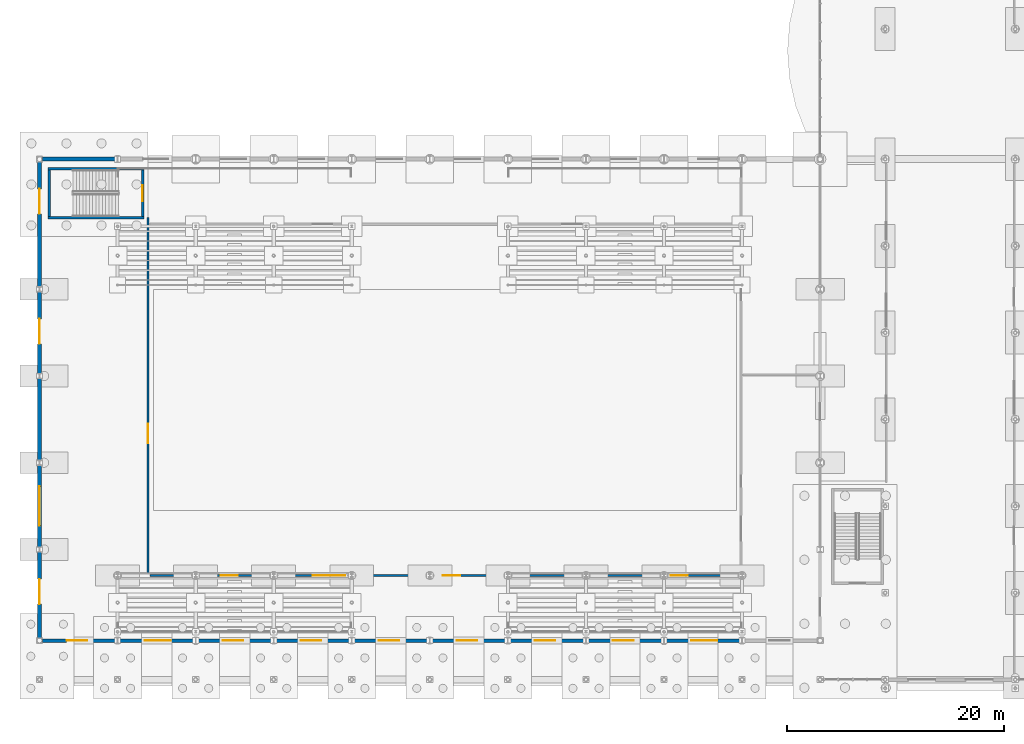
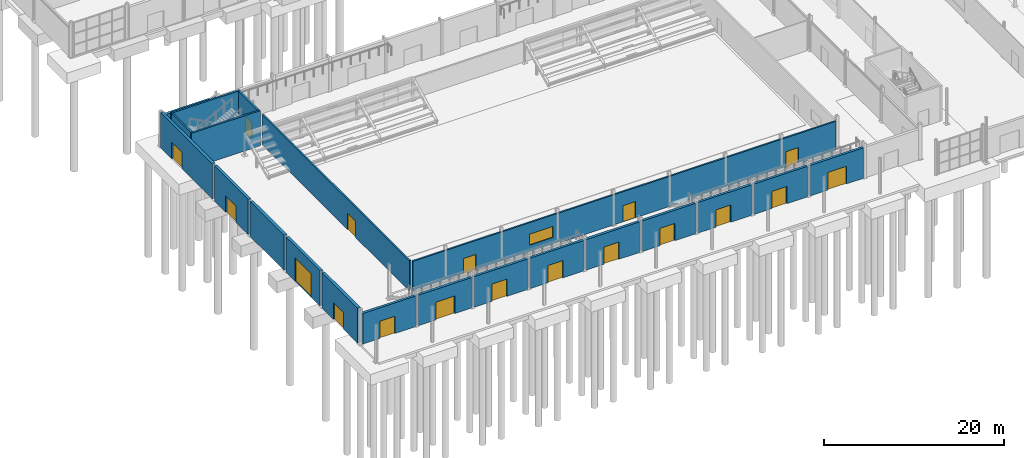
# One storey, part 74 of 101: 21 walls, 18 doors, 1 window, 19 openings.
"""IFC4 building model written with IfcOpenShell, lengths in metres."""

from ifc_helpers import new_model, si_unit, derived_unit, direction, frame, frame_2d, origin, place, context, subcontext, project, spatial, rectangle, extrude, material, layer, layer_set, type_object, element, fill, save


model = new_model("IFC4")

# Units and contexts
model_context = context("Model", 3, precision=1e-05, world=origin(), true_north=direction((0.0, 1.0)))
body_context = subcontext(model_context, "Body", "Model", "MODEL_VIEW")
ifc_project = project(units=[si_unit("LENGTHUNIT", "METRE"), si_unit("AREAUNIT", "SQUARE_METRE"), si_unit("VOLUMEUNIT", "CUBIC_METRE"), si_unit("PLANEANGLEUNIT", "RADIAN"), si_unit("MASSUNIT", "GRAM", prefix="KILO"), derived_unit("THERMALTRANSMITTANCEUNIT", [(si_unit("POWERUNIT", "WATT"), 1), (si_unit("LENGTHUNIT", "METRE"), -2), (si_unit("THERMODYNAMICTEMPERATUREUNIT", "KELVIN"), -1)])], contexts=[model_context])

# Site, building, storey
site_placement = place(None, origin())
site = spatial("IfcSite", under=ifc_project, at=site_placement, CompositionType="ELEMENT")
building_placement = place(site_placement, origin())
building = spatial("IfcBuilding", under=site, at=building_placement, Name="Keldorne Ridge Multi-Sports Centre", CompositionType="ELEMENT")
storey_placement = place(building_placement, origin())
storey = spatial("IfcBuildingStorey", under=building, at=storey_placement, Name="L00", CompositionType="ELEMENT", Elevation=0.0)

# Wall, opening, door
ifc_material_1 = material(Name="Precast concrete C40/50", Category="concrete")
ifc_layer_1 = layer(ifc_material_1, 0.320068359375)
ifc_layer_set_1 = layer_set([ifc_layer_1], Name="Precast concrete C40/50")
wall_type_1 = type_object("IfcWallType", Name="WAL-PR-W1", PredefinedType="STANDARD", material=ifc_layer_set_1)
wall_1_placement = place(storey_placement, frame((6.256103515625, 9.60009765625, 0.0), z_axis=(0.0, 0.0, 1.0), x_axis=(1.0, 0.0, 0.0)))
wall_1 = element("IfcWall", 1, at=wall_1_placement, inside=storey, type_object=wall_type_1, Name="Main Hall south ground wall bay 1", PredefinedType="STANDARD", context=body_context, shape_type="SweptSolid", body=[
    extrude(rectangle(XDim=6.7919921875, YDim=0.320068359375, at=frame_2d((3.39599609375, 0.0))), origin(), (0.0, 0.0, 1.0), 4.155029296875),
])
opening_1_placement = place(wall_1_placement, frame((2.23388671875, 0.0, 0.0)))
opening_1 = element("IfcOpeningElement", 2, at=opening_1_placement, cuts=wall_1, Name="Opening ED-07", PredefinedType="OPENING", context=body_context, shape_type="SweptSolid", body=[
    extrude(rectangle(XDim=1.89990234375, YDim=2.35009765625, at=frame_2d((0.949951171875, 1.175048828125))), frame((0.0, 0.169921875, 0.0), z_axis=(0.0, -1.0, 0.0), x_axis=(1.0, 0.0, 0.0)), (0.0, 0.0, 1.0), 0.340087890625),
])
ifc_material_2 = material(Name="Galvanized steel", Category="steel")
door_type_1 = type_object("IfcDoorType", Name="DR-ED-07", OperationType="NOTDEFINED", PredefinedType="DOOR", material=ifc_material_2)
door_1_placement = place(opening_1_placement, origin())
door_1 = element("IfcDoor", 3, at=door_1_placement, inside=storey, type_object=door_type_1, Name="South Colonnade double exit door bay 1", OperationType="DOUBLE_DOOR_SINGLE_SWING", OverallHeight=2.35009765625, OverallWidth=1.89990234375, PredefinedType="DOOR", context=body_context, shape_type="SweptSolid", body=[
    extrude(rectangle(XDim=1.89990234375, YDim=2.35009765625, at=frame_2d((0.949951171875, 1.175048828125))), frame((0.0, 0.02490234375, 0.0), z_axis=(0.0, -1.0, 0.0), x_axis=(1.0, 0.0, 0.0)), (0.0, 0.0, 1.0), 0.050048828125),
])
fill(opening_1, door_1)

wall_2_placement = place(storey_placement, frame((13.35205078125, 9.60009765625, 0.0), z_axis=(0.0, 0.0, 1.0), x_axis=(1.0, 0.0, 0.0)))
wall_2 = element("IfcWall", 4, at=wall_2_placement, inside=storey, type_object=wall_type_1, Name="Main Hall south ground wall bay 2", PredefinedType="STANDARD", context=body_context, shape_type="SweptSolid", body=[
    extrude(rectangle(XDim=6.89599609375, YDim=0.320068359375, at=frame_2d((3.447998046875, 0.0))), origin(), (0.0, 0.0, 1.0), 4.155029296875),
])
opening_2_placement = place(wall_2_placement, frame((2.337890625, 0.0, 0.0)))
opening_2 = element("IfcOpeningElement", 5, at=opening_2_placement, cuts=wall_2, Name="Opening ED-01", PredefinedType="OPENING", context=body_context, shape_type="SweptSolid", body=[
    extrude(rectangle(XDim=2.39990234375, YDim=2.39990234375, at=frame_2d((1.199951171875, 1.199951171875))), frame((0.0, 0.169921875, 0.0), z_axis=(0.0, -1.0, 0.0), x_axis=(1.0, 0.0, 0.0)), (0.0, 0.0, 1.0), 0.340087890625),
])
ifc_material_3 = material(Name="Anodized aluminium", Category="aluminium")
door_type_2 = type_object("IfcDoorType", Name="DR-ED-01", OperationType="NOTDEFINED", PredefinedType="DOOR", material=ifc_material_3)
door_2_placement = place(opening_2_placement, origin())
door_2 = element("IfcDoor", 6, at=door_2_placement, inside=storey, type_object=door_type_2, Name="South Colonnade double exit door bay 2", OperationType="DOUBLE_DOOR_SINGLE_SWING", OverallHeight=2.39990234375, OverallWidth=2.39990234375, PredefinedType="DOOR", context=body_context, shape_type="SweptSolid", body=[
    extrude(rectangle(XDim=2.39990234375, YDim=2.39990234375, at=frame_2d((1.199951171875, 1.199951171875))), frame((0.0, 0.02490234375, 0.0), z_axis=(0.0, -1.0, 0.0), x_axis=(1.0, 0.0, 0.0)), (0.0, 0.0, 1.0), 0.050048828125),
])
fill(opening_2, door_2)

wall_3_placement = place(storey_placement, frame((20.552001953125, 9.60009765625, 0.0), z_axis=(0.0, 0.0, 1.0), x_axis=(1.0, 0.0, 0.0)))
wall_3 = element("IfcWall", 7, at=wall_3_placement, inside=storey, type_object=wall_type_1, Name="Main Hall south ground wall bay 3", PredefinedType="STANDARD", context=body_context, shape_type="SweptSolid", body=[
    extrude(rectangle(XDim=6.89599609375, YDim=0.320068359375, at=frame_2d((3.447998046875, 0.0))), origin(), (0.0, 0.0, 1.0), 4.155029296875),
])
opening_3_placement = place(wall_3_placement, frame((2.337890625, 0.0, 0.0)))
opening_3 = element("IfcOpeningElement", 8, at=opening_3_placement, cuts=wall_3, Name="Opening ED-07", PredefinedType="OPENING", context=body_context, shape_type="SweptSolid", body=[
    extrude(rectangle(XDim=1.89990234375, YDim=2.35009765625, at=frame_2d((0.949951171875, 1.175048828125))), frame((0.0, 0.169921875, 0.0), z_axis=(0.0, -1.0, 0.0), x_axis=(1.0, 0.0, 0.0)), (0.0, 0.0, 1.0), 0.340087890625),
])
door_3_placement = place(opening_3_placement, origin())
door_3 = element("IfcDoor", 9, at=door_3_placement, inside=storey, type_object=door_type_1, Name="South Colonnade double exit door bay 3", OperationType="DOUBLE_DOOR_SINGLE_SWING", OverallHeight=2.35009765625, OverallWidth=1.89990234375, PredefinedType="DOOR", context=body_context, shape_type="SweptSolid", body=[
    extrude(rectangle(XDim=1.89990234375, YDim=2.35009765625, at=frame_2d((0.949951171875, 1.175048828125))), frame((0.0, 0.02490234375, 0.0), z_axis=(0.0, -1.0, 0.0), x_axis=(1.0, 0.0, 0.0)), (0.0, 0.0, 1.0), 0.050048828125),
])
fill(opening_3, door_3)

wall_4_placement = place(storey_placement, frame((27.751953125, 9.60009765625, 0.0), z_axis=(0.0, 0.0, 1.0), x_axis=(1.0, 0.0, 0.0)))
wall_4 = element("IfcWall", 10, at=wall_4_placement, inside=storey, type_object=wall_type_1, Name="Main Hall south ground wall bay 4", PredefinedType="STANDARD", context=body_context, shape_type="SweptSolid", body=[
    extrude(rectangle(XDim=6.89599609375, YDim=0.320068359375, at=frame_2d((3.447998046875, 0.0))), origin(), (0.0, 0.0, 1.0), 4.155029296875),
])
opening_4_placement = place(wall_4_placement, frame((2.337890625, 0.0, 0.0)))
opening_4 = element("IfcOpeningElement", 11, at=opening_4_placement, cuts=wall_4, Name="Opening ED-07", PredefinedType="OPENING", context=body_context, shape_type="SweptSolid", body=[
    extrude(rectangle(XDim=1.89990234375, YDim=2.35009765625, at=frame_2d((0.949951171875, 1.175048828125))), frame((0.0, 0.169921875, 0.0), z_axis=(0.0, -1.0, 0.0), x_axis=(1.0, 0.0, 0.0)), (0.0, 0.0, 1.0), 0.340087890625),
])
door_4_placement = place(opening_4_placement, origin())
door_4 = element("IfcDoor", 12, at=door_4_placement, inside=storey, type_object=door_type_1, Name="South Colonnade double exit door bay 4", OperationType="DOUBLE_DOOR_SINGLE_SWING", OverallHeight=2.35009765625, OverallWidth=1.89990234375, PredefinedType="DOOR", context=body_context, shape_type="SweptSolid", body=[
    extrude(rectangle(XDim=1.89990234375, YDim=2.35009765625, at=frame_2d((0.949951171875, 1.175048828125))), frame((0.0, 0.02490234375, 0.0), z_axis=(0.0, -1.0, 0.0), x_axis=(1.0, 0.0, 0.0)), (0.0, 0.0, 1.0), 0.050048828125),
])
fill(opening_4, door_4)

wall_5_placement = place(storey_placement, frame((34.951904296875, 9.60009765625, 0.0), z_axis=(0.0, 0.0, 1.0), x_axis=(1.0, 0.0, 0.0)))
wall_5 = element("IfcWall", 13, at=wall_5_placement, inside=storey, type_object=wall_type_1, Name="Main Hall south ground wall bay 5", PredefinedType="STANDARD", context=body_context, shape_type="SweptSolid", body=[
    extrude(rectangle(XDim=6.89599609375, YDim=0.320068359375, at=frame_2d((3.447998046875, 0.0))), origin(), (0.0, 0.0, 1.0), 4.155029296875),
])
opening_5_placement = place(wall_5_placement, frame((2.337890625, 0.0, 0.0)))
opening_5 = element("IfcOpeningElement", 14, at=opening_5_placement, cuts=wall_5, Name="Opening ED-07", PredefinedType="OPENING", context=body_context, shape_type="SweptSolid", body=[
    extrude(rectangle(XDim=1.89990234375, YDim=2.35009765625, at=frame_2d((0.949951171875, 1.175048828125))), frame((0.0, 0.169921875, 0.0), z_axis=(0.0, -1.0, 0.0), x_axis=(1.0, 0.0, 0.0)), (0.0, 0.0, 1.0), 0.340087890625),
])
door_5_placement = place(opening_5_placement, origin())
door_5 = element("IfcDoor", 15, at=door_5_placement, inside=storey, type_object=door_type_1, Name="South Colonnade double exit door bay 5", OperationType="DOUBLE_DOOR_SINGLE_SWING", OverallHeight=2.35009765625, OverallWidth=1.89990234375, PredefinedType="DOOR", context=body_context, shape_type="SweptSolid", body=[
    extrude(rectangle(XDim=1.89990234375, YDim=2.35009765625, at=frame_2d((0.949951171875, 1.175048828125))), frame((0.0, 0.02490234375, 0.0), z_axis=(0.0, -1.0, 0.0), x_axis=(1.0, 0.0, 0.0)), (0.0, 0.0, 1.0), 0.050048828125),
])
fill(opening_5, door_5)

wall_6_placement = place(storey_placement, frame((42.152099609375, 9.60009765625, 0.0), z_axis=(0.0, 0.0, 1.0), x_axis=(1.0, 0.0, 0.0)))
wall_6 = element("IfcWall", 16, at=wall_6_placement, inside=storey, type_object=wall_type_1, Name="Main Hall south ground wall bay 6", PredefinedType="STANDARD", context=body_context, shape_type="SweptSolid", body=[
    extrude(rectangle(XDim=6.89599609375, YDim=0.320068359375, at=frame_2d((3.447998046875, 0.0))), origin(), (0.0, 0.0, 1.0), 4.155029296875),
])
opening_6_placement = place(wall_6_placement, frame((2.337890625, 0.0, 0.0)))
opening_6 = element("IfcOpeningElement", 17, at=opening_6_placement, cuts=wall_6, Name="Opening ED-07", PredefinedType="OPENING", context=body_context, shape_type="SweptSolid", body=[
    extrude(rectangle(XDim=1.89990234375, YDim=2.35009765625, at=frame_2d((0.949951171875, 1.175048828125))), frame((0.0, 0.169921875, 0.0), z_axis=(0.0, -1.0, 0.0), x_axis=(1.0, 0.0, 0.0)), (0.0, 0.0, 1.0), 0.340087890625),
])
door_6_placement = place(opening_6_placement, origin())
door_6 = element("IfcDoor", 18, at=door_6_placement, inside=storey, type_object=door_type_1, Name="South Colonnade double exit door bay 6", OperationType="DOUBLE_DOOR_SINGLE_SWING", OverallHeight=2.35009765625, OverallWidth=1.89990234375, PredefinedType="DOOR", context=body_context, shape_type="SweptSolid", body=[
    extrude(rectangle(XDim=1.89990234375, YDim=2.35009765625, at=frame_2d((0.949951171875, 1.175048828125))), frame((0.0, 0.02490234375, 0.0), z_axis=(0.0, -1.0, 0.0), x_axis=(1.0, 0.0, 0.0)), (0.0, 0.0, 1.0), 0.050048828125),
])
fill(opening_6, door_6)

wall_7_placement = place(storey_placement, frame((49.35205078125, 9.60009765625, 0.0), z_axis=(0.0, 0.0, 1.0), x_axis=(1.0, 0.0, 0.0)))
wall_7 = element("IfcWall", 19, at=wall_7_placement, inside=storey, type_object=wall_type_1, Name="Main Hall south ground wall bay 7", PredefinedType="STANDARD", context=body_context, shape_type="SweptSolid", body=[
    extrude(rectangle(XDim=6.89599609375, YDim=0.320068359375, at=frame_2d((3.447998046875, 0.0))), origin(), (0.0, 0.0, 1.0), 4.155029296875),
])
opening_7_placement = place(wall_7_placement, frame((2.337890625, 0.0, 0.0)))
opening_7 = element("IfcOpeningElement", 20, at=opening_7_placement, cuts=wall_7, Name="Opening ED-07", PredefinedType="OPENING", context=body_context, shape_type="SweptSolid", body=[
    extrude(rectangle(XDim=1.89990234375, YDim=2.35009765625, at=frame_2d((0.949951171875, 1.175048828125))), frame((0.0, 0.169921875, 0.0), z_axis=(0.0, -1.0, 0.0), x_axis=(1.0, 0.0, 0.0)), (0.0, 0.0, 1.0), 0.340087890625),
])
door_7_placement = place(opening_7_placement, origin())
door_7 = element("IfcDoor", 21, at=door_7_placement, inside=storey, type_object=door_type_1, Name="South Colonnade double exit door bay 7", OperationType="DOUBLE_DOOR_SINGLE_SWING", OverallHeight=2.35009765625, OverallWidth=1.89990234375, PredefinedType="DOOR", context=body_context, shape_type="SweptSolid", body=[
    extrude(rectangle(XDim=1.89990234375, YDim=2.35009765625, at=frame_2d((0.949951171875, 1.175048828125))), frame((0.0, 0.02490234375, 0.0), z_axis=(0.0, -1.0, 0.0), x_axis=(1.0, 0.0, 0.0)), (0.0, 0.0, 1.0), 0.050048828125),
])
fill(opening_7, door_7)

wall_8_placement = place(storey_placement, frame((56.552001953125, 9.60009765625, 0.0), z_axis=(0.0, 0.0, 1.0), x_axis=(1.0, 0.0, 0.0)))
wall_8 = element("IfcWall", 22, at=wall_8_placement, inside=storey, type_object=wall_type_1, Name="Main Hall south ground wall bay 8", PredefinedType="STANDARD", context=body_context, shape_type="SweptSolid", body=[
    extrude(rectangle(XDim=6.89599609375, YDim=0.320068359375, at=frame_2d((3.447998046875, 0.0))), origin(), (0.0, 0.0, 1.0), 4.155029296875),
])
opening_8_placement = place(wall_8_placement, frame((2.337890625, 0.0, 0.0)))
opening_8 = element("IfcOpeningElement", 23, at=opening_8_placement, cuts=wall_8, Name="Opening ED-07", PredefinedType="OPENING", context=body_context, shape_type="SweptSolid", body=[
    extrude(rectangle(XDim=1.89990234375, YDim=2.35009765625, at=frame_2d((0.949951171875, 1.175048828125))), frame((0.0, 0.169921875, 0.0), z_axis=(0.0, -1.0, 0.0), x_axis=(1.0, 0.0, 0.0)), (0.0, 0.0, 1.0), 0.340087890625),
])
door_8_placement = place(opening_8_placement, origin())
door_8 = element("IfcDoor", 24, at=door_8_placement, inside=storey, type_object=door_type_1, Name="South Colonnade double exit door bay 8", OperationType="DOUBLE_DOOR_SINGLE_SWING", OverallHeight=2.35009765625, OverallWidth=1.89990234375, PredefinedType="DOOR", context=body_context, shape_type="SweptSolid", body=[
    extrude(rectangle(XDim=1.89990234375, YDim=2.35009765625, at=frame_2d((0.949951171875, 1.175048828125))), frame((0.0, 0.02490234375, 0.0), z_axis=(0.0, -1.0, 0.0), x_axis=(1.0, 0.0, 0.0)), (0.0, 0.0, 1.0), 0.050048828125),
])
fill(opening_8, door_8)

wall_9_placement = place(storey_placement, frame((63.751953125, 9.60009765625, 0.0), z_axis=(0.0, 0.0, 1.0), x_axis=(1.0, 0.0, 0.0)))
wall_9 = element("IfcWall", 25, at=wall_9_placement, inside=storey, type_object=wall_type_1, Name="Main Hall south ground wall bay 9", PredefinedType="STANDARD", context=body_context, shape_type="SweptSolid", body=[
    extrude(rectangle(XDim=6.89599609375, YDim=0.320068359375, at=frame_2d((3.447998046875, 0.0))), origin(), (0.0, 0.0, 1.0), 4.155029296875),
])
opening_9_placement = place(wall_9_placement, frame((2.337890625, 0.0, 0.0)))
opening_9 = element("IfcOpeningElement", 26, at=opening_9_placement, cuts=wall_9, Name="Opening ED-01", PredefinedType="OPENING", context=body_context, shape_type="SweptSolid", body=[
    extrude(rectangle(XDim=2.39990234375, YDim=2.39990234375, at=frame_2d((1.199951171875, 1.199951171875))), frame((0.0, 0.169921875, 0.0), z_axis=(0.0, -1.0, 0.0), x_axis=(1.0, 0.0, 0.0)), (0.0, 0.0, 1.0), 0.340087890625),
])
door_9_placement = place(opening_9_placement, origin())
door_9 = element("IfcDoor", 27, at=door_9_placement, inside=storey, type_object=door_type_2, Name="South Colonnade double exit door bay 9", OperationType="DOUBLE_DOOR_SINGLE_SWING", OverallHeight=2.39990234375, OverallWidth=2.39990234375, PredefinedType="DOOR", context=body_context, shape_type="SweptSolid", body=[
    extrude(rectangle(XDim=2.39990234375, YDim=2.39990234375, at=frame_2d((1.199951171875, 1.199951171875))), frame((0.0, 0.02490234375, 0.0), z_axis=(0.0, -1.0, 0.0), x_axis=(1.0, 0.0, 0.0)), (0.0, 0.0, 1.0), 0.050048828125),
])
fill(opening_9, door_9)

# Wall
ifc_layer_2 = layer(ifc_material_1, 0.360107421875)
ifc_layer_set_2 = layer_set([ifc_layer_2], Name="Precast concrete C40/50")
wall_type_2 = type_object("IfcWallType", Name="WAL-PR-W2", PredefinedType="STANDARD", material=ifc_layer_set_2)
wall_10_placement = place(storey_placement, frame((13.048095703125, 54.0, 0.0), z_axis=(0.0, 0.0, 1.0), x_axis=(-1.0, 0.0, 0.0)))
element("IfcWall", 28, at=wall_10_placement, inside=storey, type_object=wall_type_2, Name="Main Hall north acoustic wall bay 1", PredefinedType="STANDARD", context=body_context, shape_type="SweptSolid", body=[
    extrude(rectangle(XDim=6.7919921875, YDim=0.360107421875, at=frame_2d((3.39599609375, 0.0))), origin(), (0.0, 0.0, 1.0), 4.205078125),
])

# Wall, opening, door
wall_11_placement = place(storey_placement, frame((6.0, 17.77294921875, 0.0), z_axis=(0.0, 0.0, 1.0), x_axis=(0.0, -1.0, 0.0)))
wall_11 = element("IfcWall", 29, at=wall_11_placement, inside=storey, type_object=wall_type_2, Name="Main Hall west gable wall L00.1", PredefinedType="STANDARD", context=body_context, shape_type="SweptSolid", body=[
    extrude(rectangle(XDim=7.9169921875, YDim=0.360107421875, at=frame_2d((3.95849609375, 0.0))), origin(), (0.0, 0.0, 1.0), 4.800048828125),
])
opening_10_placement = place(wall_11_placement, frame((2.512939453125, 0.0, 0.0)))
opening_10 = element("IfcOpeningElement", 30, at=opening_10_placement, cuts=wall_11, Name="Opening ED-03", PredefinedType="OPENING", context=body_context, shape_type="SweptSolid", body=[
    extrude(rectangle(XDim=2.300048828125, YDim=2.25, at=frame_2d((1.14990234375, 1.125))), frame((0.0, 0.18994140625, 0.0), z_axis=(0.0, -1.0, 0.0), x_axis=(1.0, 0.0, 0.0)), (0.0, 0.0, 1.0), 0.380126953125),
])
door_type_3 = type_object("IfcDoorType", Name="DR-ED-03", OperationType="NOTDEFINED", PredefinedType="DOOR", material=ifc_material_2)
door_10_placement = place(opening_10_placement, origin())
door_10 = element("IfcDoor", 31, at=door_10_placement, inside=storey, type_object=door_type_3, Name="Main Hall west double exit door 1", OperationType="DOUBLE_DOOR_SINGLE_SWING", OverallHeight=2.25, OverallWidth=2.300048828125, PredefinedType="DOOR", context=body_context, shape_type="SweptSolid", body=[
    extrude(rectangle(XDim=2.300048828125, YDim=2.25, at=frame_2d((1.14990234375, 1.125))), frame((0.0, 0.02490234375, 0.0), z_axis=(0.0, -1.0, 0.0), x_axis=(1.0, 0.0, 0.0)), (0.0, 0.0, 1.0), 0.050048828125),
])
fill(opening_10, door_10)

wall_12_placement = place(storey_placement, frame((6.0, 25.77294921875, 0.0), z_axis=(0.0, 0.0, 1.0), x_axis=(0.0, -1.0, 0.0)))
wall_12 = element("IfcWall", 32, at=wall_12_placement, inside=storey, type_object=wall_type_2, Name="Main Hall west gable wall L00.2", PredefinedType="STANDARD", context=body_context, shape_type="SweptSolid", body=[
    extrude(rectangle(XDim=7.5458984375, YDim=0.360107421875, at=frame_2d((3.77294921875, 0.0))), origin(), (0.0, 0.0, 1.0), 4.800048828125),
])
opening_11_placement = place(wall_12_placement, frame((1.962890625, 0.0, 0.0)))
opening_11 = element("IfcOpeningElement", 33, at=opening_11_placement, cuts=wall_12, Name="Opening VG-03", PredefinedType="OPENING", context=body_context, shape_type="SweptSolid", body=[
    extrude(rectangle(XDim=3.60009765625, YDim=3.199951171875, at=frame_2d((1.800048828125, 1.60009765625))), frame((0.0, 0.18994140625, 0.0), z_axis=(0.0, -1.0, 0.0), x_axis=(1.0, 0.0, 0.0)), (0.0, 0.0, 1.0), 0.380126953125),
])
door_type_4 = type_object("IfcDoorType", Name="DR-VG-03", OperationType="NOTDEFINED", PredefinedType="GATE", material=ifc_material_2)
door_11_placement = place(opening_11_placement, origin())
door_11 = element("IfcDoor", 34, at=door_11_placement, inside=storey, type_object=door_type_4, Name="Competition Hall equipment roller gate VG-04", OperationType="ROLLINGUP", OverallHeight=3.199951171875, OverallWidth=3.60009765625, PredefinedType="GATE", context=body_context, shape_type="SweptSolid", body=[
    extrude(rectangle(XDim=3.60009765625, YDim=3.199951171875, at=frame_2d((1.800048828125, 1.60009765625))), frame((0.0, 0.02490234375, 0.0), z_axis=(0.0, -1.0, 0.0), x_axis=(1.0, 0.0, 0.0)), (0.0, 0.0, 1.0), 0.050048828125),
])
fill(opening_11, door_11)

# Wall
wall_13_placement = place(storey_placement, frame((6.0, 33.77294921875, 0.0), z_axis=(0.0, 0.0, 1.0), x_axis=(0.0, -1.0, 0.0)))
element("IfcWall", 35, at=wall_13_placement, inside=storey, type_object=wall_type_2, Name="Main Hall west gable wall L00.3", PredefinedType="STANDARD", context=body_context, shape_type="SweptSolid", body=[
    extrude(rectangle(XDim=7.5458984375, YDim=0.360107421875, at=frame_2d((3.77294921875, 0.0))), origin(), (0.0, 0.0, 1.0), 4.800048828125),
])

# Wall, opening, door
wall_14_placement = place(storey_placement, frame((6.0, 41.77294921875, 0.0), z_axis=(0.0, 0.0, 1.0), x_axis=(0.0, -1.0, 0.0)))
wall_14 = element("IfcWall", 36, at=wall_14_placement, inside=storey, type_object=wall_type_2, Name="Main Hall west gable wall L00.4", PredefinedType="STANDARD", context=body_context, shape_type="SweptSolid", body=[
    extrude(rectangle(XDim=7.5458984375, YDim=0.360107421875, at=frame_2d((3.77294921875, 0.0))), origin(), (0.0, 0.0, 1.0), 4.800048828125),
])
opening_12_placement = place(wall_14_placement, frame((2.512939453125, 0.0, 0.0)))
opening_12 = element("IfcOpeningElement", 37, at=opening_12_placement, cuts=wall_14, Name="Opening ED-03", PredefinedType="OPENING", context=body_context, shape_type="SweptSolid", body=[
    extrude(rectangle(XDim=2.300048828125, YDim=2.25, at=frame_2d((1.14990234375, 1.125))), frame((0.0, 0.18994140625, 0.0), z_axis=(0.0, -1.0, 0.0), x_axis=(1.0, 0.0, 0.0)), (0.0, 0.0, 1.0), 0.380126953125),
])
door_12_placement = place(opening_12_placement, origin())
door_12 = element("IfcDoor", 38, at=door_12_placement, inside=storey, type_object=door_type_3, Name="Main Hall west double exit door 4", OperationType="DOUBLE_DOOR_SINGLE_SWING", OverallHeight=2.25, OverallWidth=2.300048828125, PredefinedType="DOOR", context=body_context, shape_type="SweptSolid", body=[
    extrude(rectangle(XDim=2.300048828125, YDim=2.25, at=frame_2d((1.14990234375, 1.125))), frame((0.0, 0.02490234375, 0.0), z_axis=(0.0, -1.0, 0.0), x_axis=(1.0, 0.0, 0.0)), (0.0, 0.0, 1.0), 0.050048828125),
])
fill(opening_12, door_12)

wall_15_placement = place(storey_placement, frame((6.0, 53.743896484375, 0.0), z_axis=(0.0, 0.0, 1.0), x_axis=(0.0, -1.0, 0.0)))
wall_15 = element("IfcWall", 39, at=wall_15_placement, inside=storey, type_object=wall_type_2, Name="Main Hall west gable wall L00.5", PredefinedType="STANDARD", context=body_context, shape_type="SweptSolid", body=[
    extrude(rectangle(XDim=11.516845703125, YDim=0.360107421875, at=frame_2d((5.75830078125, 0.0))), origin(), (0.0, 0.0, 1.0), 4.800048828125),
])
opening_13_placement = place(wall_15_placement, frame((2.48388671875, 0.0, 0.0)))
opening_13 = element("IfcOpeningElement", 40, at=opening_13_placement, cuts=wall_15, Name="Opening ED-03", PredefinedType="OPENING", context=body_context, shape_type="SweptSolid", body=[
    extrude(rectangle(XDim=2.300048828125, YDim=2.25, at=frame_2d((1.14990234375, 1.125))), frame((0.0, 0.18994140625, 0.0), z_axis=(0.0, -1.0, 0.0), x_axis=(1.0, 0.0, 0.0)), (0.0, 0.0, 1.0), 0.380126953125),
])
door_13_placement = place(opening_13_placement, origin())
door_13 = element("IfcDoor", 41, at=door_13_placement, inside=storey, type_object=door_type_3, Name="Main Hall west double exit door 5", OperationType="DOUBLE_DOOR_SINGLE_SWING", OverallHeight=2.25, OverallWidth=2.300048828125, PredefinedType="DOOR", context=body_context, shape_type="SweptSolid", body=[
    extrude(rectangle(XDim=2.300048828125, YDim=2.25, at=frame_2d((1.14990234375, 1.125))), frame((0.0, 0.02490234375, 0.0), z_axis=(0.0, -1.0, 0.0), x_axis=(1.0, 0.0, 0.0)), (0.0, 0.0, 1.0), 0.050048828125),
])
fill(opening_13, door_13)

# Wall, openings, doors, window
ifc_material_4 = material(Name="Concrete blockwork C25/30", Category="masonry")
ifc_layer_3 = layer(ifc_material_4, 0.199951171875)
ifc_layer_set_3 = layer_set([ifc_layer_3])
wall_type_3 = type_object("IfcWallType", Name="WAL-PT-03", PredefinedType="PARTITIONING", material=ifc_layer_set_3)
wall_16_placement = place(storey_placement, frame((16.199951171875, 15.60009765625, 0.0), z_axis=(0.0, 0.0, 1.0), x_axis=(1.0, 0.0, 0.0)))
wall_16 = element("IfcWall", 42, at=wall_16_placement, inside=storey, type_object=wall_type_3, Name="Main Hall south concourse wall IW-L00-011", PredefinedType="PARTITIONING", context=body_context, shape_type="SweptSolid", body=[
    extrude(rectangle(XDim=54.400146484375, YDim=0.199951171875, at=frame_2d((27.2001953125, 0.0))), origin(), (0.0, 0.0, 1.0), 4.10009765625),
])
opening_14_placement = place(wall_16_placement, frame((6.5, 0.0, 0.0)))
opening_14 = element("IfcOpeningElement", 43, at=opening_14_placement, cuts=wall_16, Name="Opening D-04", PredefinedType="OPENING", context=body_context, shape_type="SweptSolid", body=[
    extrude(rectangle(XDim=1.60009765625, YDim=2.199951171875, at=frame_2d((0.800048828125, 1.10009765625))), frame((0.0, 0.10986328125, 0.0), z_axis=(0.0, -1.0, 0.0), x_axis=(1.0, 0.0, 0.0)), (0.0, 0.0, 1.0), 0.219970703125),
])
opening_15_placement = place(wall_16_placement, frame((27.0, 0.0, 0.0)))
opening_15 = element("IfcOpeningElement", 44, at=opening_15_placement, cuts=wall_16, Name="Opening D-04", PredefinedType="OPENING", context=body_context, shape_type="SweptSolid", body=[
    extrude(rectangle(XDim=1.60009765625, YDim=2.199951171875, at=frame_2d((0.800048828125, 1.10009765625))), frame((0.0, 0.10986328125, 0.0), z_axis=(0.0, -1.0, 0.0), x_axis=(1.0, 0.0, 0.0)), (0.0, 0.0, 1.0), 0.219970703125),
])
opening_16_placement = place(wall_16_placement, frame((48.0, 0.0, 0.0)))
opening_16 = element("IfcOpeningElement", 45, at=opening_16_placement, cuts=wall_16, Name="Opening D-04", PredefinedType="OPENING", context=body_context, shape_type="SweptSolid", body=[
    extrude(rectangle(XDim=1.60009765625, YDim=2.199951171875, at=frame_2d((0.800048828125, 1.10009765625))), frame((0.0, 0.10986328125, 0.0), z_axis=(0.0, -1.0, 0.0), x_axis=(1.0, 0.0, 0.0)), (0.0, 0.0, 1.0), 0.219970703125),
])
opening_17_placement = place(wall_16_placement, frame((15.0, 0.0, 1.050048828125)))
opening_17 = element("IfcOpeningElement", 46, at=opening_17_placement, cuts=wall_16, Name="Opening IW-02", PredefinedType="OPENING", context=body_context, shape_type="SweptSolid", body=[
    extrude(rectangle(XDim=3.0, YDim=1.5, at=frame_2d((1.5, 0.75))), frame((0.0, 0.10986328125, 0.0), z_axis=(0.0, -1.0, 0.0), x_axis=(1.0, 0.0, 0.0)), (0.0, 0.0, 1.0), 0.219970703125),
])
ifc_material_5 = material(Name="Timber fire-resisting pair", Category="wood")
door_type_5 = type_object("IfcDoorType", Name="DR-D-04", OperationType="NOTDEFINED", PredefinedType="DOOR", material=ifc_material_5)
door_14_placement = place(opening_14_placement, origin())
door_14 = element("IfcDoor", 47, at=door_14_placement, inside=storey, type_object=door_type_5, Name="Main Hall south concourse west door D-062", OperationType="DOUBLE_DOOR_SINGLE_SWING", OverallHeight=2.199951171875, OverallWidth=1.60009765625, PredefinedType="DOOR", context=body_context, shape_type="SweptSolid", body=[
    extrude(rectangle(XDim=1.60009765625, YDim=2.199951171875, at=frame_2d((0.800048828125, 1.10009765625))), frame((0.0, 0.02490234375, 0.0), z_axis=(0.0, -1.0, 0.0), x_axis=(1.0, 0.0, 0.0)), (0.0, 0.0, 1.0), 0.050048828125),
])
fill(opening_14, door_14)
door_15_placement = place(opening_15_placement, origin())
door_15 = element("IfcDoor", 48, at=door_15_placement, inside=storey, type_object=door_type_5, Name="Main Hall south concourse centre door D-063", OperationType="DOUBLE_DOOR_SINGLE_SWING", OverallHeight=2.199951171875, OverallWidth=1.60009765625, PredefinedType="DOOR", context=body_context, shape_type="SweptSolid", body=[
    extrude(rectangle(XDim=1.60009765625, YDim=2.199951171875, at=frame_2d((0.800048828125, 1.10009765625))), frame((0.0, 0.02490234375, 0.0), z_axis=(0.0, -1.0, 0.0), x_axis=(1.0, 0.0, 0.0)), (0.0, 0.0, 1.0), 0.050048828125),
])
fill(opening_15, door_15)
door_16_placement = place(opening_16_placement, origin())
door_16 = element("IfcDoor", 49, at=door_16_placement, inside=storey, type_object=door_type_5, Name="Main Hall south concourse east door D-064", OperationType="DOUBLE_DOOR_SINGLE_SWING", OverallHeight=2.199951171875, OverallWidth=1.60009765625, PredefinedType="DOOR", context=body_context, shape_type="SweptSolid", body=[
    extrude(rectangle(XDim=1.60009765625, YDim=2.199951171875, at=frame_2d((0.800048828125, 1.10009765625))), frame((0.0, 0.02490234375, 0.0), z_axis=(0.0, -1.0, 0.0), x_axis=(1.0, 0.0, 0.0)), (0.0, 0.0, 1.0), 0.050048828125),
])
fill(opening_16, door_16)
window_type = type_object("IfcWindowType", Name="WIN-IW-02", PartitioningType="SINGLE_PANEL", PredefinedType="WINDOW", material=ifc_material_3)
window_placement = place(opening_17_placement, origin())
window = element("IfcWindow", 50, at=window_placement, inside=storey, type_object=window_type, Name="Internal viewing window", OverallHeight=1.5, OverallWidth=3.0, PartitioningType="SINGLE_PANEL", PredefinedType="WINDOW", context=body_context, shape_type="SweptSolid", body=[
    extrude(rectangle(XDim=3.0, YDim=1.5, at=frame_2d((1.5, 0.75))), frame((0.0, 0.030029296875, 0.0), z_axis=(0.0, -1.0, 0.0), x_axis=(1.0, 0.0, 0.0)), (0.0, 0.0, 1.0), 0.06005859375),
])
fill(opening_17, window)

# Wall, opening, door
wall_17_placement = place(storey_placement, frame((16.0, 15.800048828125, 0.0), z_axis=(0.0, 0.0, 1.0), x_axis=(0.0, 1.0, 0.0)))
wall_17 = element("IfcWall", 51, at=wall_17_placement, inside=storey, type_object=wall_type_3, Name="Main Hall west equipment store wall IW-L00-012", PredefinedType="PARTITIONING", context=body_context, shape_type="SweptSolid", body=[
    extrude(rectangle(XDim=32.800048828125, YDim=0.199951171875, at=frame_2d((16.39990234375, 0.0))), origin(), (0.0, 0.0, 1.0), 4.10009765625),
])
opening_18_placement = place(wall_17_placement, frame((12.0, 0.0, 0.0)))
opening_18 = element("IfcOpeningElement", 52, at=opening_18_placement, cuts=wall_17, Name="Opening D-06", PredefinedType="OPENING", context=body_context, shape_type="SweptSolid", body=[
    extrude(rectangle(XDim=1.800048828125, YDim=2.25, at=frame_2d((0.89990234375, 1.125))), frame((0.0, 0.10986328125, 0.0), z_axis=(0.0, -1.0, 0.0), x_axis=(1.0, 0.0, 0.0)), (0.0, 0.0, 1.0), 0.219970703125),
])
ifc_material_6 = material(Name="Steel acoustic pair", Category="steel")
door_type_6 = type_object("IfcDoorType", Name="DR-D-06", OperationType="NOTDEFINED", PredefinedType="DOOR", material=ifc_material_6)
door_17_placement = place(opening_18_placement, origin())
door_17 = element("IfcDoor", 53, at=door_17_placement, inside=storey, type_object=door_type_6, Name="Competition west store double door D-065", OperationType="DOUBLE_DOOR_SINGLE_SWING", OverallHeight=2.25, OverallWidth=1.800048828125, PredefinedType="DOOR", context=body_context, shape_type="SweptSolid", body=[
    extrude(rectangle(XDim=1.800048828125, YDim=2.25, at=frame_2d((0.89990234375, 1.125))), frame((0.0, 0.02490234375, 0.0), z_axis=(0.0, -1.0, 0.0), x_axis=(1.0, 0.0, 0.0)), (0.0, 0.0, 1.0), 0.050048828125),
])
fill(opening_18, door_17)

ifc_material_7 = material(Name="Concrete C40/50", Category="concrete")
ifc_layer_4 = layer(ifc_material_7, 0.22998046875)
ifc_layer_set_4 = layer_set([ifc_layer_4], Name="Concrete C40/50")
wall_type_4 = type_object("IfcWallType", Name="WAL-SW02", PredefinedType="SHEAR", material=ifc_layer_set_4)
wall_18_placement = place(storey_placement, frame((15.514892578125, 48.719970703125, 0.0), z_axis=(0.0, 0.0, 1.0), x_axis=(0.0, 1.0, 0.0)))
wall_18 = element("IfcWall", 54, at=wall_18_placement, inside=storey, type_object=wall_type_4, Name="Stair ST-09 shaft wall L00 NEAR", PredefinedType="SHEAR", context=body_context, shape_type="SweptSolid", body=[
    extrude(rectangle(XDim=4.280029296875, YDim=0.22998046875, at=frame_2d((2.14013671875, 0.0))), origin(), (0.0, 0.0, 1.0), 4.800048828125),
])
opening_19_placement = place(wall_18_placement, frame((1.4150390625, 0.0, 0.0)))
opening_19 = element("IfcOpeningElement", 55, at=opening_19_placement, cuts=wall_18, Name="Opening D-05", PredefinedType="OPENING", context=body_context, shape_type="SweptSolid", body=[
    extrude(rectangle(XDim=1.449951171875, YDim=2.199951171875, at=frame_2d((0.72509765625, 1.10009765625))), frame((0.0, 0.125, 0.0), z_axis=(0.0, -1.0, 0.0), x_axis=(1.0, 0.0, 0.0)), (0.0, 0.0, 1.0), 0.25),
])
ifc_material_8 = material(Name="Steel fire-resisting pair", Category="steel")
door_type_7 = type_object("IfcDoorType", Name="DR-D-05", OperationType="NOTDEFINED", PredefinedType="DOOR", material=ifc_material_8)
door_18_placement = place(opening_19_placement, origin())
door_18 = element("IfcDoor", 56, at=door_18_placement, inside=storey, type_object=door_type_7, Name="Stair ST-09 L00 fire door D-036", OperationType="DOUBLE_DOOR_SINGLE_SWING", OverallHeight=2.199951171875, OverallWidth=1.449951171875, PredefinedType="DOOR", context=body_context, shape_type="SweptSolid", body=[
    extrude(rectangle(XDim=1.449951171875, YDim=2.199951171875, at=frame_2d((0.72509765625, 1.10009765625))), frame((0.0, 0.02490234375, 0.0), z_axis=(0.0, -1.0, 0.0), x_axis=(1.0, 0.0, 0.0)), (0.0, 0.0, 1.0), 0.050048828125),
])
fill(opening_19, door_18)

# Walls
wall_19_placement = place(storey_placement, frame((6.885009765625, 53.0, 0.0), z_axis=(0.0, 0.0, 1.0), x_axis=(0.0, -1.0, 0.0)))
element("IfcWall", 57, at=wall_19_placement, inside=storey, type_object=wall_type_4, Name="Stair ST-09 shaft wall L00 FAR", PredefinedType="SHEAR", context=body_context, shape_type="SweptSolid", body=[
    extrude(rectangle(XDim=4.280029296875, YDim=0.22998046875, at=frame_2d((2.14013671875, 0.0))), origin(), (0.0, 0.0, 1.0), 4.800048828125),
])
for number, where, z_axis, x_axis, name in (
    (58, (6.77001953125, 48.60498046875, 0.0), (0.0, 0.0, 1.0), (1.0, 0.0, 0.0), "Stair ST-09 shaft wall L00 SOUTH"),
    (59, (15.6298828125, 53.114990234375, 0.0), (0.0, 0.0, 1.0), (-1.0, 0.0, 0.0), "Stair ST-09 shaft wall L00 NORTH"),
):
    element("IfcWall", number, at=place(storey_placement, frame(where, z_axis=z_axis, x_axis=x_axis)), inside=storey, type_object=wall_type_4, Name=name, PredefinedType="SHEAR", context=body_context, shape_type="SweptSolid", body=[
        extrude(rectangle(XDim=8.85986328125, YDim=0.22998046875, at=frame_2d((4.429931640625, 0.0))), origin(), (0.0, 0.0, 1.0), 4.800048828125),
    ])

save(model, "model.ifc")
